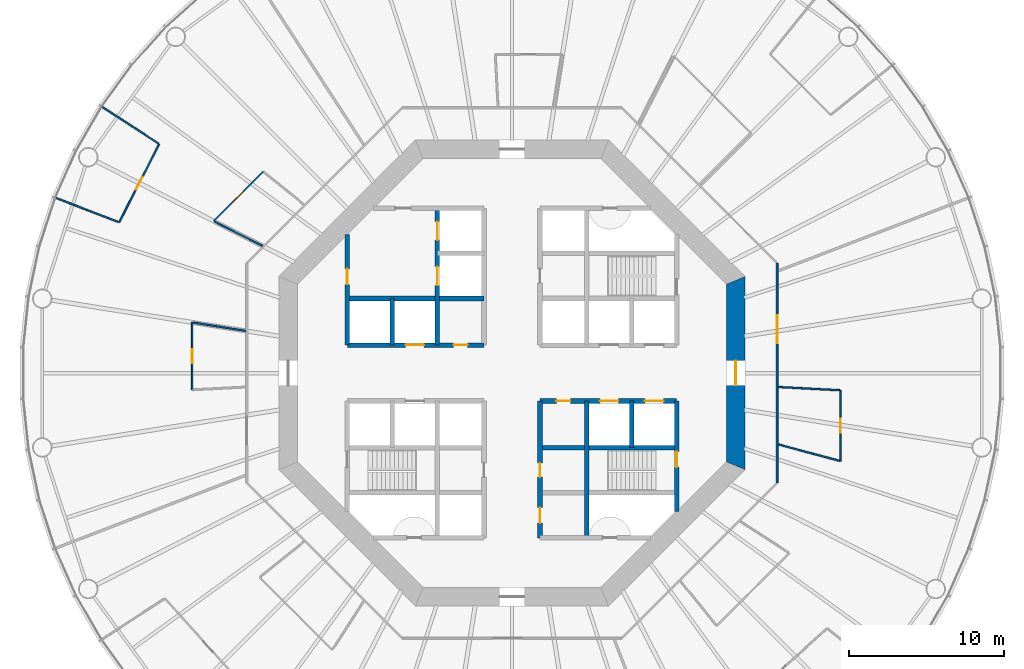
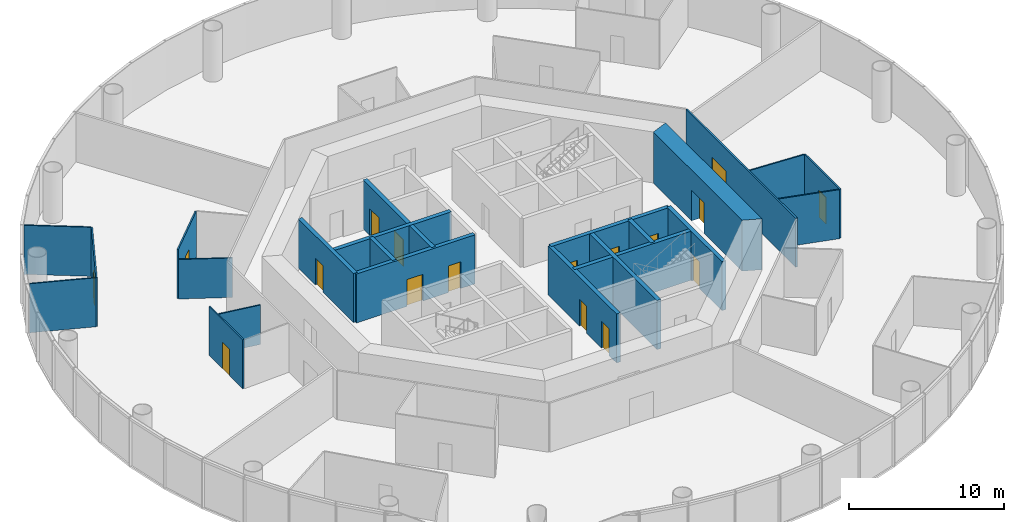
# One storey, part 4 of 13: 23 walls, 17 doors, 17 openings.
"""IFC4 building model written with IfcOpenShell, lengths in metres."""

from ifc_helpers import new_model, si_unit, direction, frame, frame_2d, origin, place, context, subcontext, project, spatial, polyline, rectangle, outline, extrude, material, layer, layer_set, type_object, element, fill, save


model = new_model("IFC4")

# Units and contexts
model_context = context("Model", 3, precision=1e-05, world=origin(), true_north=direction((0.0, 1.0)))
body_context = subcontext(model_context, "Body", "Model", "MODEL_VIEW")
ifc_project = project(units=[si_unit("LENGTHUNIT", "METRE"), si_unit("AREAUNIT", "SQUARE_METRE"), si_unit("VOLUMEUNIT", "CUBIC_METRE"), si_unit("PLANEANGLEUNIT", "RADIAN"), si_unit("MASSUNIT", "GRAM", prefix="KILO")], contexts=[model_context])

# Site, building, storey
site_placement = place(None, origin())
site = spatial("IfcSite", under=ifc_project, at=site_placement, CompositionType="ELEMENT")
building_placement = place(site_placement, origin())
building = spatial("IfcBuilding", under=site, at=building_placement, Name="Entoto Ring Tower", CompositionType="ELEMENT")
storey_placement = place(building_placement, frame((0.0, 0.0, 108.0)))
storey = spatial("IfcBuildingStorey", under=building, at=storey_placement, Name="L24", CompositionType="ELEMENT", Elevation=108.0)

# Wall, opening, door
ifc_material_1 = material(Name="Concrete C40/50", Category="concrete")
ifc_layer_1 = layer(ifc_material_1, 0.300048828125)
ifc_layer_set_1 = layer_set([ifc_layer_1], Name="Concrete C40/50")
wall_type_1 = type_object("IfcWallType", Name="Core enclosure wall 300 mm reinforced concrete", PredefinedType="SOLIDWALL", material=ifc_layer_set_1)
wall_1_placement = place(storey_placement, frame((100.60009765625, 71.083984375, 0.0), z_axis=(0.0, 0.0, 1.0), x_axis=(0.0, 1.0, 0.0)))
wall_1 = element("IfcWall", 1, at=wall_1_placement, inside=storey, type_object=wall_type_1, Name="wall-L24-001", PredefinedType="SOLIDWALL", context=body_context, shape_type="SweptSolid", body=[
    extrude(rectangle(XDim=7.115966796875, YDim=0.300048828125, at=frame_2d((3.55810546875, 0.0))), origin(), (0.0, 0.0, 1.0), 3.85009765625),
])
opening_1_placement = place(wall_1_placement, frame((2.8662109375, 0.0, 0.0)))
opening_1 = element("IfcOpeningElement", 2, at=opening_1_placement, cuts=wall_1, Name="Opening K-61", PredefinedType="OPENING", context=body_context, shape_type="SweptSolid", body=[
    extrude(rectangle(XDim=1.0, YDim=2.10009765625, at=frame_2d((0.5, 1.050048828125))), frame((0.0, 0.16015625, 0.0), z_axis=(0.0, -1.0, 0.0), x_axis=(1.0, 0.0, 0.0)), (0.0, 0.0, 1.0), 0.320068359375),
])
ifc_material_2 = material(Name="Steel door leaf, fire rated", Category="steel")
ifc_layer_2 = layer(ifc_material_2, 0.050048828125)
ifc_layer_set_2 = layer_set([ifc_layer_2], Name="Steel door leaf, fire rated")
door_type_1 = type_object("IfcDoorType", Name="Fire door FD60 1000 x 2100 single leaf", OperationType="NOTDEFINED", PredefinedType="DOOR", material=ifc_layer_set_2)
door_1_placement = place(opening_1_placement, origin())
door_1 = element("IfcDoor", 3, at=door_1_placement, inside=storey, type_object=door_type_1, Name="Door K-61", OperationType="SINGLE_SWING_RIGHT", OverallHeight=2.10009765625, OverallWidth=1.0, PredefinedType="DOOR", context=body_context, shape_type="SweptSolid", body=[
    extrude(rectangle(XDim=1.0, YDim=2.10009765625, at=frame_2d((0.5, 1.050048828125))), frame((0.0, 0.02490234375, 0.0), z_axis=(0.0, -1.0, 0.0), x_axis=(1.0, 0.0, 0.0)), (0.0, 0.0, 1.0), 0.050048828125),
])
fill(opening_1, door_1)

# Walls
wall_2_placement = place(storey_placement, frame((97.699951171875, 75.199951171875, 0.0), z_axis=(0.0, 0.0, 1.0), x_axis=(0.0, 1.0, 0.0)))
element("IfcWall", 4, at=wall_2_placement, inside=storey, type_object=wall_type_1, Name="wall-L24-003", PredefinedType="SOLIDWALL", context=body_context, shape_type="SweptSolid", body=[
    extrude(rectangle(XDim=3.0, YDim=0.300048828125, at=frame_2d((1.5, 0.0))), origin(), (0.0, 0.0, 1.0), 3.85009765625),
])
wall_3_placement = place(storey_placement, frame((94.800048828125, 69.39990234375, 0.0), z_axis=(0.0, 0.0, 1.0), x_axis=(0.0, 1.0, 0.0)))
element("IfcWall", 5, at=wall_3_placement, inside=storey, type_object=wall_type_1, Name="wall-L24-005", PredefinedType="SOLIDWALL", context=body_context, shape_type="SweptSolid", body=[
    extrude(rectangle(XDim=8.800048828125, YDim=0.300048828125, at=frame_2d((4.39990234375, 0.0))), origin(), (0.0, 0.0, 1.0), 3.85009765625),
])

# Wall, openings, doors
wall_4_placement = place(storey_placement, frame((91.800048828125, 69.39990234375, 0.0), z_axis=(0.0, 0.0, 1.0), x_axis=(0.0, 1.0, 0.0)))
wall_4 = element("IfcWall", 6, at=wall_4_placement, inside=storey, type_object=wall_type_1, Name="wall-L24-007", PredefinedType="SOLIDWALL", context=body_context, shape_type="SweptSolid", body=[
    extrude(rectangle(XDim=8.800048828125, YDim=0.300048828125, at=frame_2d((4.39990234375, 0.0))), origin(), (0.0, 0.0, 1.0), 3.85009765625),
])
opening_2_placement = place(wall_4_placement, frame((3.89990234375, 0.0, 0.0)))
opening_2 = element("IfcOpeningElement", 7, at=opening_2_placement, cuts=wall_4, Name="Opening K-12", PredefinedType="OPENING", context=body_context, shape_type="SweptSolid", body=[
    extrude(rectangle(XDim=0.89990234375, YDim=2.10009765625, at=frame_2d((0.449951171875, 1.050048828125))), frame((0.0, 0.16015625, 0.0), z_axis=(0.0, -1.0, 0.0), x_axis=(1.0, 0.0, 0.0)), (0.0, 0.0, 1.0), 0.320068359375),
])
opening_3_placement = place(wall_4_placement, frame((0.949951171875, 0.0, 0.0)))
opening_3 = element("IfcOpeningElement", 8, at=opening_3_placement, cuts=wall_4, Name="Opening K-13", PredefinedType="OPENING", context=body_context, shape_type="SweptSolid", body=[
    extrude(rectangle(XDim=1.0, YDim=2.10009765625, at=frame_2d((0.5, 1.050048828125))), frame((0.0, 0.16015625, 0.0), z_axis=(0.0, -1.0, 0.0), x_axis=(1.0, 0.0, 0.0)), (0.0, 0.0, 1.0), 0.320068359375),
])
ifc_material_3 = material(Name="Steel door leaf, fire rated", Category="steel")
ifc_layer_3 = layer(ifc_material_3, 0.050048828125)
ifc_layer_set_3 = layer_set([ifc_layer_3], Name="Steel door leaf, fire rated")
door_type_2 = type_object("IfcDoorType", Name="Accessible door 1000 x 2100 single leaf", OperationType="NOTDEFINED", PredefinedType="DOOR", material=ifc_layer_set_3)
door_2_placement = place(opening_3_placement, frame((1.0, 0.0, 0.0), z_axis=(0.0, 0.0, 1.0), x_axis=(-1.0, 0.0, 0.0)))
door_2 = element("IfcDoor", 9, at=door_2_placement, inside=storey, type_object=door_type_2, Name="Door K-13", OperationType="SINGLE_SWING_LEFT", OverallHeight=2.10009765625, OverallWidth=1.0, PredefinedType="DOOR", context=body_context, shape_type="SweptSolid", body=[
    extrude(rectangle(XDim=1.0, YDim=2.10009765625, at=frame_2d((0.5, 1.050048828125))), frame((0.0, 0.02490234375, 0.0), z_axis=(0.0, -1.0, 0.0), x_axis=(1.0, 0.0, 0.0)), (0.0, 0.0, 1.0), 0.050048828125),
])
fill(opening_3, door_2)
ifc_material_4 = material(Name="Steel door leaf, fire rated", Category="steel")
ifc_layer_4 = layer(ifc_material_4, 0.050048828125)
ifc_layer_set_4 = layer_set([ifc_layer_4], Name="Steel door leaf, fire rated")
door_type_3 = type_object("IfcDoorType", Name="Core door 900 x 2100 single leaf", OperationType="NOTDEFINED", PredefinedType="DOOR", material=ifc_layer_set_4)
door_3_placement = place(opening_2_placement, frame((0.89990234375, 0.0, 0.0), z_axis=(0.0, 0.0, 1.0), x_axis=(-1.0, 0.0, 0.0)))
door_3 = element("IfcDoor", 10, at=door_3_placement, inside=storey, type_object=door_type_3, Name="Door K-12", OperationType="SINGLE_SWING_LEFT", OverallHeight=2.10009765625, OverallWidth=0.89990234375, PredefinedType="DOOR", context=body_context, shape_type="SweptSolid", body=[
    extrude(rectangle(XDim=0.89990234375, YDim=2.10009765625, at=frame_2d((0.449951171875, 1.050048828125))), frame((0.0, 0.02490234375, 0.0), z_axis=(0.0, -1.0, 0.0), x_axis=(1.0, 0.0, 0.0)), (0.0, 0.0, 1.0), 0.050048828125),
])
fill(opening_2, door_3)

wall_5_placement = place(storey_placement, frame((85.199951171875, 81.800048828125, 0.0), z_axis=(0.0, 0.0, 1.0), x_axis=(0.0, 1.0, 0.0)))
wall_5 = element("IfcWall", 11, at=wall_5_placement, inside=storey, type_object=wall_type_1, Name="wall-L24-012", PredefinedType="SOLIDWALL", context=body_context, shape_type="SweptSolid", body=[
    extrude(rectangle(XDim=8.800048828125, YDim=0.300048828125, at=frame_2d((4.39990234375, 0.0))), origin(), (0.0, 0.0, 1.0), 3.85009765625),
])
opening_4_placement = place(wall_5_placement, frame((3.85009765625, 0.0, 0.0)))
opening_4 = element("IfcOpeningElement", 12, at=opening_4_placement, cuts=wall_5, Name="Opening LD", PredefinedType="OPENING", context=body_context, shape_type="SweptSolid", body=[
    extrude(rectangle(XDim=1.199951171875, YDim=2.10009765625, at=frame_2d((0.60009765625, 1.050048828125))), frame((0.0, 0.16015625, 0.0), z_axis=(0.0, -1.0, 0.0), x_axis=(1.0, 0.0, 0.0)), (0.0, 0.0, 1.0), 0.320068359375),
])
opening_5_placement = place(wall_5_placement, frame((6.75, 0.0, 0.0)))
opening_5 = element("IfcOpeningElement", 13, at=opening_5_placement, cuts=wall_5, Name="Opening LD", PredefinedType="OPENING", context=body_context, shape_type="SweptSolid", body=[
    extrude(rectangle(XDim=1.199951171875, YDim=2.10009765625, at=frame_2d((0.60009765625, 1.050048828125))), frame((0.0, 0.16015625, 0.0), z_axis=(0.0, -1.0, 0.0), x_axis=(1.0, 0.0, 0.0)), (0.0, 0.0, 1.0), 0.320068359375),
])
ifc_material_5 = material(Name="Steel and glass door leaf", Category="steel")
ifc_layer_5 = layer(ifc_material_5, 0.050048828125)
ifc_layer_set_5 = layer_set([ifc_layer_5], Name="Steel and glass door leaf")
door_type_4 = type_object("IfcDoorType", Name="Landing door 1200 x 2100 sliding", OperationType="DOUBLE_DOOR_SLIDING", PredefinedType="DOOR", material=ifc_layer_set_5)
door_4_placement = place(opening_4_placement, origin())
door_4 = element("IfcDoor", 14, at=door_4_placement, inside=storey, type_object=door_type_4, Name="Landing door FF1", OperationType="SLIDING_TO_RIGHT", OverallHeight=2.10009765625, OverallWidth=1.199951171875, PredefinedType="DOOR", context=body_context, shape_type="SweptSolid", body=[
    extrude(rectangle(XDim=1.199951171875, YDim=2.10009765625, at=frame_2d((0.60009765625, 1.050048828125))), frame((0.0, 0.02490234375, 0.0), z_axis=(0.0, -1.0, 0.0), x_axis=(1.0, 0.0, 0.0)), (0.0, 0.0, 1.0), 0.050048828125),
])
fill(opening_4, door_4)
door_5_placement = place(opening_5_placement, origin())
door_5 = element("IfcDoor", 15, at=door_5_placement, inside=storey, type_object=door_type_4, Name="Landing door FF2", OperationType="SLIDING_TO_RIGHT", OverallHeight=2.10009765625, OverallWidth=1.199951171875, PredefinedType="DOOR", context=body_context, shape_type="SweptSolid", body=[
    extrude(rectangle(XDim=1.199951171875, YDim=2.10009765625, at=frame_2d((0.60009765625, 1.050048828125))), frame((0.0, 0.02490234375, 0.0), z_axis=(0.0, -1.0, 0.0), x_axis=(1.0, 0.0, 0.0)), (0.0, 0.0, 1.0), 0.050048828125),
])
fill(opening_5, door_5)

# Wall
wall_6_placement = place(storey_placement, frame((82.300048828125, 81.800048828125, 0.0), z_axis=(0.0, 0.0, 1.0), x_axis=(0.0, 1.0, 0.0)))
element("IfcWall", 16, at=wall_6_placement, inside=storey, type_object=wall_type_1, Name="wall-L24-014", PredefinedType="SOLIDWALL", context=body_context, shape_type="SweptSolid", body=[
    extrude(rectangle(XDim=3.0, YDim=0.300048828125, at=frame_2d((1.5, 0.0))), origin(), (0.0, 0.0, 1.0), 3.85009765625),
])

# Wall, opening, door
wall_7_placement = place(storey_placement, frame((79.39990234375, 81.800048828125, 0.0), z_axis=(0.0, 0.0, 1.0), x_axis=(0.0, 1.0, 0.0)))
wall_7 = element("IfcWall", 17, at=wall_7_placement, inside=storey, type_object=wall_type_1, Name="wall-L24-016", PredefinedType="SOLIDWALL", context=body_context, shape_type="SweptSolid", body=[
    extrude(rectangle(XDim=7.115966796875, YDim=0.300048828125, at=frame_2d((3.55810546875, 0.0))), origin(), (0.0, 0.0, 1.0), 3.85009765625),
])
opening_6_placement = place(wall_7_placement, frame((3.89990234375, 0.0, 0.0)))
opening_6 = element("IfcOpeningElement", 18, at=opening_6_placement, cuts=wall_7, Name="Opening K-23", PredefinedType="OPENING", context=body_context, shape_type="SweptSolid", body=[
    extrude(rectangle(XDim=1.0, YDim=2.10009765625, at=frame_2d((0.5, 1.050048828125))), frame((0.0, 0.16015625, 0.0), z_axis=(0.0, -1.0, 0.0), x_axis=(1.0, 0.0, 0.0)), (0.0, 0.0, 1.0), 0.320068359375),
])
door_6_placement = place(opening_6_placement, frame((1.0, 0.0, 0.0), z_axis=(0.0, 0.0, 1.0), x_axis=(-1.0, 0.0, 0.0)))
door_6 = element("IfcDoor", 19, at=door_6_placement, inside=storey, type_object=door_type_1, Name="Door K-23", OperationType="SINGLE_SWING_LEFT", OverallHeight=2.10009765625, OverallWidth=1.0, PredefinedType="DOOR", context=body_context, shape_type="SweptSolid", body=[
    extrude(rectangle(XDim=1.0, YDim=2.10009765625, at=frame_2d((0.5, 1.050048828125))), frame((0.0, 0.02490234375, 0.0), z_axis=(0.0, -1.0, 0.0), x_axis=(1.0, 0.0, 0.0)), (0.0, 0.0, 1.0), 0.050048828125),
])
fill(opening_6, door_6)

# Wall
wall_8_placement = place(storey_placement, frame((91.800048828125, 75.199951171875, 0.0), z_axis=(0.0, 0.0, 1.0), x_axis=(1.0, 0.0, 0.0)))
element("IfcWall", 20, at=wall_8_placement, inside=storey, type_object=wall_type_1, Name="wall-L24-022", PredefinedType="SOLIDWALL", context=body_context, shape_type="SweptSolid", body=[
    extrude(rectangle(XDim=8.800048828125, YDim=0.300048828125, at=frame_2d((4.39990234375, 0.0))), origin(), (0.0, 0.0, 1.0), 3.85009765625),
])

# Wall, openings, doors
wall_9_placement = place(storey_placement, frame((91.800048828125, 78.199951171875, 0.0), z_axis=(0.0, 0.0, 1.0), x_axis=(1.0, 0.0, 0.0)))
wall_9 = element("IfcWall", 21, at=wall_9_placement, inside=storey, type_object=wall_type_1, Name="wall-L24-024", PredefinedType="SOLIDWALL", context=body_context, shape_type="SweptSolid", body=[
    extrude(rectangle(XDim=8.800048828125, YDim=0.300048828125, at=frame_2d((4.39990234375, 0.0))), origin(), (0.0, 0.0, 1.0), 3.85009765625),
])
opening_7_placement = place(wall_9_placement, frame((3.85009765625, 0.0, 0.0)))
opening_7 = element("IfcOpeningElement", 22, at=opening_7_placement, cuts=wall_9, Name="Opening LD", PredefinedType="OPENING", context=body_context, shape_type="SweptSolid", body=[
    extrude(rectangle(XDim=1.199951171875, YDim=2.10009765625, at=frame_2d((0.60009765625, 1.050048828125))), frame((0.0, 0.16015625, 0.0), z_axis=(0.0, -1.0, 0.0), x_axis=(1.0, 0.0, 0.0)), (0.0, 0.0, 1.0), 0.320068359375),
])
opening_8_placement = place(wall_9_placement, frame((6.75, 0.0, 0.0)))
opening_8 = element("IfcOpeningElement", 23, at=opening_8_placement, cuts=wall_9, Name="Opening LD", PredefinedType="OPENING", context=body_context, shape_type="SweptSolid", body=[
    extrude(rectangle(XDim=1.199951171875, YDim=2.10009765625, at=frame_2d((0.60009765625, 1.050048828125))), frame((0.0, 0.16015625, 0.0), z_axis=(0.0, -1.0, 0.0), x_axis=(1.0, 0.0, 0.0)), (0.0, 0.0, 1.0), 0.320068359375),
])
opening_9_placement = place(wall_9_placement, frame((1.050048828125, 0.0, 0.0)))
opening_9 = element("IfcOpeningElement", 24, at=opening_9_placement, cuts=wall_9, Name="Opening K-16", PredefinedType="OPENING", context=body_context, shape_type="SweptSolid", body=[
    extrude(rectangle(XDim=0.89990234375, YDim=2.10009765625, at=frame_2d((0.449951171875, 1.050048828125))), frame((0.0, 0.16015625, 0.0), z_axis=(0.0, -1.0, 0.0), x_axis=(1.0, 0.0, 0.0)), (0.0, 0.0, 1.0), 0.320068359375),
])
door_7_placement = place(opening_9_placement, frame((0.89990234375, 0.0, 0.0), z_axis=(0.0, 0.0, 1.0), x_axis=(-1.0, 0.0, 0.0)))
door_7 = element("IfcDoor", 25, at=door_7_placement, inside=storey, type_object=door_type_3, Name="Door K-16", OperationType="SINGLE_SWING_RIGHT", OverallHeight=2.10009765625, OverallWidth=0.89990234375, PredefinedType="DOOR", context=body_context, shape_type="SweptSolid", body=[
    extrude(rectangle(XDim=0.89990234375, YDim=2.10009765625, at=frame_2d((0.449951171875, 1.050048828125))), frame((0.0, 0.02490234375, 0.0), z_axis=(0.0, -1.0, 0.0), x_axis=(1.0, 0.0, 0.0)), (0.0, 0.0, 1.0), 0.050048828125),
])
fill(opening_9, door_7)
door_8_placement = place(opening_7_placement, origin())
door_8 = element("IfcDoor", 26, at=door_8_placement, inside=storey, type_object=door_type_4, Name="Landing door LB4-LR", OperationType="SLIDING_TO_RIGHT", OverallHeight=2.10009765625, OverallWidth=1.199951171875, PredefinedType="DOOR", context=body_context, shape_type="SweptSolid", body=[
    extrude(rectangle(XDim=1.199951171875, YDim=2.10009765625, at=frame_2d((0.60009765625, 1.050048828125))), frame((0.0, 0.02490234375, 0.0), z_axis=(0.0, -1.0, 0.0), x_axis=(1.0, 0.0, 0.0)), (0.0, 0.0, 1.0), 0.050048828125),
])
fill(opening_7, door_8)
door_9_placement = place(opening_8_placement, origin())
door_9 = element("IfcDoor", 27, at=door_9_placement, inside=storey, type_object=door_type_4, Name="Landing door LB5-LR", OperationType="SLIDING_TO_RIGHT", OverallHeight=2.10009765625, OverallWidth=1.199951171875, PredefinedType="DOOR", context=body_context, shape_type="SweptSolid", body=[
    extrude(rectangle(XDim=1.199951171875, YDim=2.10009765625, at=frame_2d((0.60009765625, 1.050048828125))), frame((0.0, 0.02490234375, 0.0), z_axis=(0.0, -1.0, 0.0), x_axis=(1.0, 0.0, 0.0)), (0.0, 0.0, 1.0), 0.050048828125),
])
fill(opening_8, door_9)

wall_10_placement = place(storey_placement, frame((79.39990234375, 81.800048828125, 0.0), z_axis=(0.0, 0.0, 1.0), x_axis=(1.0, 0.0, 0.0)))
wall_10 = element("IfcWall", 28, at=wall_10_placement, inside=storey, type_object=wall_type_1, Name="wall-L24-025", PredefinedType="SOLIDWALL", context=body_context, shape_type="SweptSolid", body=[
    extrude(rectangle(XDim=8.800048828125, YDim=0.300048828125, at=frame_2d((4.39990234375, 0.0))), origin(), (0.0, 0.0, 1.0), 3.85009765625),
])
opening_10_placement = place(wall_10_placement, frame((3.75, 0.0, 0.0)))
opening_10 = element("IfcOpeningElement", 29, at=opening_10_placement, cuts=wall_10, Name="Opening LD", PredefinedType="OPENING", context=body_context, shape_type="SweptSolid", body=[
    extrude(rectangle(XDim=1.199951171875, YDim=2.10009765625, at=frame_2d((0.60009765625, 1.050048828125))), frame((0.0, 0.16015625, 0.0), z_axis=(0.0, -1.0, 0.0), x_axis=(1.0, 0.0, 0.0)), (0.0, 0.0, 1.0), 0.320068359375),
])
opening_11_placement = place(wall_10_placement, frame((6.85009765625, 0.0, 0.0)))
opening_11 = element("IfcOpeningElement", 30, at=opening_11_placement, cuts=wall_10, Name="Opening K-15", PredefinedType="OPENING", context=body_context, shape_type="SweptSolid", body=[
    extrude(rectangle(XDim=0.89990234375, YDim=2.10009765625, at=frame_2d((0.449951171875, 1.050048828125))), frame((0.0, 0.16015625, 0.0), z_axis=(0.0, -1.0, 0.0), x_axis=(1.0, 0.0, 0.0)), (0.0, 0.0, 1.0), 0.320068359375),
])
door_10_placement = place(opening_11_placement, frame((0.89990234375, 0.0, 0.0), z_axis=(0.0, 0.0, 1.0), x_axis=(-1.0, 0.0, 0.0)))
door_10 = element("IfcDoor", 31, at=door_10_placement, inside=storey, type_object=door_type_3, Name="Door K-15", OperationType="SINGLE_SWING_RIGHT", OverallHeight=2.10009765625, OverallWidth=0.89990234375, PredefinedType="DOOR", context=body_context, shape_type="SweptSolid", body=[
    extrude(rectangle(XDim=0.89990234375, YDim=2.10009765625, at=frame_2d((0.449951171875, 1.050048828125))), frame((0.0, 0.02490234375, 0.0), z_axis=(0.0, -1.0, 0.0), x_axis=(1.0, 0.0, 0.0)), (0.0, 0.0, 1.0), 0.050048828125),
])
fill(opening_11, door_10)
door_11_placement = place(opening_10_placement, origin())
door_11 = element("IfcDoor", 32, at=door_11_placement, inside=storey, type_object=door_type_4, Name="Landing door LB3-LR", OperationType="SLIDING_TO_RIGHT", OverallHeight=2.10009765625, OverallWidth=1.199951171875, PredefinedType="DOOR", context=body_context, shape_type="SweptSolid", body=[
    extrude(rectangle(XDim=1.199951171875, YDim=2.10009765625, at=frame_2d((0.60009765625, 1.050048828125))), frame((0.0, 0.02490234375, 0.0), z_axis=(0.0, -1.0, 0.0), x_axis=(1.0, 0.0, 0.0)), (0.0, 0.0, 1.0), 0.050048828125),
])
fill(opening_10, door_11)

# Wall
wall_11_placement = place(storey_placement, frame((79.39990234375, 84.800048828125, 0.0), z_axis=(0.0, 0.0, 1.0), x_axis=(1.0, 0.0, 0.0)))
element("IfcWall", 33, at=wall_11_placement, inside=storey, type_object=wall_type_1, Name="wall-L24-027", PredefinedType="SOLIDWALL", context=body_context, shape_type="SweptSolid", body=[
    extrude(rectangle(XDim=8.800048828125, YDim=0.300048828125, at=frame_2d((4.39990234375, 0.0))), origin(), (0.0, 0.0, 1.0), 3.85009765625),
])

# Wall, opening, door
ifc_material_6 = material(Name="Concrete C60/75", Category="concrete")
ifc_layer_6 = layer(ifc_material_6, 1.199951171875)
ifc_layer_set_6 = layer_set([ifc_layer_6], Name="Concrete C60/75")
wall_type_2 = type_object("IfcWallType", Name="Core shear wall 1200 mm reinforced concrete C60/75", PredefinedType="SHEAR", material=ifc_layer_set_6)
wall_12_placement = place(storey_placement, frame((104.39990234375, 74.035400390625, 0.0), z_axis=(0.0, 0.0, 1.0), x_axis=(0.0, 1.0, 0.0)))
wall_12 = element("IfcWall", 34, at=wall_12_placement, inside=storey, type_object=wall_type_2, Name="wall-L24-core-0", PredefinedType="SHEAR", context=body_context, shape_type="SweptSolid", body=[
    extrude(outline(polyline([(-0.24853515625, -0.60009765625), (12.177734375, -0.60009765625), (11.6806640625, 0.60009765625), (0.24853515625, 0.60009765625), (-0.24853515625, -0.60009765625)])), origin(), (0.0, 0.0, 1.0), 4.0),
])
opening_12_placement = place(wall_12_placement, frame((5.164794921875, 0.0, 0.0)))
opening_12 = element("IfcOpeningElement", 35, at=opening_12_placement, cuts=wall_12, Name="Opening K-01", PredefinedType="OPENING", context=body_context, shape_type="SweptSolid", body=[
    extrude(rectangle(XDim=1.60009765625, YDim=2.39990234375, at=frame_2d((0.800048828125, 1.199951171875))), frame((0.0, 0.60986328125, 0.0), z_axis=(0.0, -1.0, 0.0), x_axis=(1.0, 0.0, 0.0)), (0.0, 0.0, 1.0), 1.219970703125),
])
ifc_material_7 = material(Name="Steel door leaf, fire rated", Category="steel")
ifc_layer_7 = layer(ifc_material_7, 0.050048828125)
ifc_layer_set_7 = layer_set([ifc_layer_7], Name="Steel door leaf, fire rated")
door_type_5 = type_object("IfcDoorType", Name="Entrance door FD60 1600 x 2400 double leaf", OperationType="DOUBLE_DOOR_SINGLE_SWING", PredefinedType="DOOR", material=ifc_layer_set_7)
door_12_placement = place(opening_12_placement, origin())
door_12 = element("IfcDoor", 36, at=door_12_placement, inside=storey, type_object=door_type_5, Name="Entrance door K-01", OperationType="DOUBLE_DOOR_SINGLE_SWING", OverallHeight=2.39990234375, OverallWidth=1.60009765625, PredefinedType="DOOR", context=body_context, shape_type="SweptSolid", body=[
    extrude(rectangle(XDim=1.60009765625, YDim=2.39990234375, at=frame_2d((0.800048828125, 1.199951171875))), frame((0.0, 0.02490234375, 0.0), z_axis=(0.0, -1.0, 0.0), x_axis=(1.0, 0.0, 0.0)), (0.0, 0.0, 1.0), 0.050048828125),
])
fill(opening_12, door_12)

ifc_material_8 = material(Name="Fire-resisting plasterboard on steel studs", Category="steel")
ifc_layer_8 = layer(ifc_material_8, 0.125)
ifc_layer_set_8 = layer_set([ifc_layer_8], Name="Fire-resisting plasterboard on steel studs")
wall_type_3 = type_object("IfcWallType", Name="Corridor wall 125 mm one-hour plasterboard on steel studs", PredefinedType="PARTITIONING", material=ifc_layer_set_8)
wall_13_placement = place(storey_placement, frame((107.0625, 72.9326171875, 0.0), z_axis=(0.0, 0.0, 1.0), x_axis=(0.0, 1.0, 0.0)))
wall_13 = element("IfcWall", 37, at=wall_13_placement, inside=storey, type_object=wall_type_3, Name="partition-L24-004", PredefinedType="PARTITIONING", context=body_context, shape_type="SweptSolid", body=[
    extrude(rectangle(XDim=14.134765625, YDim=0.125, at=frame_2d((7.0673828125, 0.0))), origin(), (0.0, 0.0, 1.0), 3.85009765625),
])
opening_13_placement = place(wall_13_placement, frame((8.995361328125, 0.0, 0.0)))
opening_13 = element("IfcOpeningElement", 38, at=opening_13_placement, cuts=wall_13, Name="Opening A10-D12", PredefinedType="OPENING", context=body_context, shape_type="SweptSolid", body=[
    extrude(rectangle(XDim=1.800048828125, YDim=2.10009765625, at=frame_2d((0.89990234375, 1.050048828125))), frame((0.0, 0.072509765625, 0.0), z_axis=(0.0, -1.0, 0.0), x_axis=(1.0, 0.0, 0.0)), (0.0, 0.0, 1.0), 0.14501953125),
])
ifc_material_9 = material(Name="Fire-resisting timber door set", Category="wood")
door_type_6 = type_object("IfcDoorType", Name="Door 1800 x 2100 double leaf FD30S fire door", OperationType="DOUBLE_DOOR_SINGLE_SWING", PredefinedType="DOOR", material=ifc_material_9)
door_13_placement = place(opening_13_placement, frame((1.800048828125, 0.0, 0.0), z_axis=(0.0, 0.0, 1.0), x_axis=(-1.0, 0.0, 0.0)))
door_13 = element("IfcDoor", 39, at=door_13_placement, inside=storey, type_object=door_type_6, Name="Door A10-D12", OperationType="DOUBLE_DOOR_SINGLE_SWING", OverallHeight=2.10009765625, OverallWidth=1.800048828125, PredefinedType="DOOR", context=body_context, shape_type="SweptSolid", body=[
    extrude(rectangle(XDim=1.800048828125, YDim=2.10009765625, at=frame_2d((0.89990234375, 1.050048828125))), frame((0.0, 0.02490234375, 0.0), z_axis=(0.0, -1.0, 0.0), x_axis=(1.0, 0.0, 0.0)), (0.0, 0.0, 1.0), 0.050048828125),
])
fill(opening_13, door_13)

ifc_material_10 = material(Name="Plasterboard on steel studs", Category="steel")
ifc_layer_9 = layer(ifc_material_10, 0.10009765625)
ifc_layer_set_9 = layer_set([ifc_layer_9], Name="Plasterboard on steel studs")
wall_type_4 = type_object("IfcWallType", Name="Partition 100 mm plasterboard on steel studs", PredefinedType="PARTITIONING", material=ifc_layer_set_9)
wall_14_placement = place(storey_placement, frame((64.72802734375, 89.700927734375, 0.0), z_axis=(0.0, 0.0, 1.0), x_axis=(0.453965202268, 0.891019413442, 0.0)))
wall_14 = element("IfcWall", 40, at=wall_14_placement, inside=storey, type_object=wall_type_4, Name="partition-L24-018", PredefinedType="PARTITIONING", context=body_context, shape_type="SweptSolid", body=[
    extrude(rectangle(XDim=5.6591796875, YDim=0.10009765625, at=frame_2d((2.82958984375, 0.0))), origin(), (0.0, 0.0, 1.0), 3.85009765625),
])
opening_14_placement = place(wall_14_placement, frame((2.379638671875, 0.0, 0.0)))
opening_14 = element("IfcOpeningElement", 41, at=opening_14_placement, cuts=wall_14, Name="Opening A10-D08", PredefinedType="OPENING", context=body_context, shape_type="SweptSolid", body=[
    extrude(rectangle(XDim=0.89990234375, YDim=2.10009765625, at=frame_2d((0.449951171875, 1.050048828125))), frame((0.0, 0.06005859375, 0.0), z_axis=(0.0, -1.0, 0.0), x_axis=(1.0, 0.0, 0.0)), (0.0, 0.0, 1.0), 0.1201171875),
])
ifc_material_11 = material(Name="Veneered timber door leaf in timber frame", Category="wood")
door_type_7 = type_object("IfcDoorType", Name="Door 900 x 2100 single leaf timber veneer", OperationType="NOTDEFINED", PredefinedType="DOOR", material=ifc_material_11)
door_14_placement = place(opening_14_placement, origin())
door_14 = element("IfcDoor", 42, at=door_14_placement, inside=storey, type_object=door_type_7, Name="Door A10-D08", OperationType="SINGLE_SWING_LEFT", OverallHeight=2.10009765625, OverallWidth=0.89990234375, PredefinedType="DOOR", context=body_context, shape_type="SweptSolid", body=[
    extrude(rectangle(XDim=0.89990234375, YDim=2.10009765625, at=frame_2d((0.449951171875, 1.050048828125))), frame((0.0, 0.02490234375, 0.0), z_axis=(0.0, -1.0, 0.0), x_axis=(1.0, 0.0, 0.0)), (0.0, 0.0, 1.0), 0.050048828125),
])
fill(opening_14, door_14)

wall_15_placement = place(storey_placement, frame((111.132568359375, 74.337646484375, 0.0), z_axis=(0.0, 0.0, 1.0), x_axis=(0.0, 1.0, 0.0)))
wall_15 = element("IfcWall", 43, at=wall_15_placement, inside=storey, type_object=wall_type_4, Name="partition-L24-028", PredefinedType="PARTITIONING", context=body_context, shape_type="SweptSolid", body=[
    extrude(rectangle(XDim=4.554931640625, YDim=0.10009765625, at=frame_2d((2.27734375, 0.0))), origin(), (0.0, 0.0, 1.0), 3.85009765625),
])
opening_15_placement = place(wall_15_placement, frame((1.827392578125, 0.0, 0.0)))
opening_15 = element("IfcOpeningElement", 44, at=opening_15_placement, cuts=wall_15, Name="Opening A10-D14", PredefinedType="OPENING", context=body_context, shape_type="SweptSolid", body=[
    extrude(rectangle(XDim=0.89990234375, YDim=2.10009765625, at=frame_2d((0.449951171875, 1.050048828125))), frame((0.0, 0.06005859375, 0.0), z_axis=(0.0, -1.0, 0.0), x_axis=(1.0, 0.0, 0.0)), (0.0, 0.0, 1.0), 0.1201171875),
])
door_15_placement = place(opening_15_placement, origin())
door_15 = element("IfcDoor", 45, at=door_15_placement, inside=storey, type_object=door_type_7, Name="Door A10-D14", OperationType="SINGLE_SWING_LEFT", OverallHeight=2.10009765625, OverallWidth=0.89990234375, PredefinedType="DOOR", context=body_context, shape_type="SweptSolid", body=[
    extrude(rectangle(XDim=0.89990234375, YDim=2.10009765625, at=frame_2d((0.449951171875, 1.050048828125))), frame((0.0, 0.02490234375, 0.0), z_axis=(0.0, -1.0, 0.0), x_axis=(1.0, 0.0, 0.0)), (0.0, 0.0, 1.0), 0.050048828125),
])
fill(opening_15, door_15)

wall_16_placement = place(storey_placement, frame((70.801513671875, 89.7822265625, 0.0), z_axis=(0.0, 0.0, 1.0), x_axis=(0.707106781187, 0.707106781187, 0.0)))
wall_16 = element("IfcWall", 46, at=wall_16_placement, inside=storey, type_object=wall_type_4, Name="partition-L24-029", PredefinedType="PARTITIONING", context=body_context, shape_type="SweptSolid", body=[
    extrude(rectangle(XDim=4.50439453125, YDim=0.10009765625, at=frame_2d((2.252197265625, 0.0))), origin(), (0.0, 0.0, 1.0), 3.85009765625),
])
opening_16_placement = place(wall_16_placement, frame((1.80224609375, 0.0, 0.0)))
opening_16 = element("IfcOpeningElement", 47, at=opening_16_placement, cuts=wall_16, Name="Opening A10-D06", PredefinedType="OPENING", context=body_context, shape_type="SweptSolid", body=[
    extrude(rectangle(XDim=0.89990234375, YDim=2.10009765625, at=frame_2d((0.449951171875, 1.050048828125))), frame((0.0, 0.06005859375, 0.0), z_axis=(0.0, -1.0, 0.0), x_axis=(1.0, 0.0, 0.0)), (0.0, 0.0, 1.0), 0.1201171875),
])
door_16_placement = place(opening_16_placement, frame((0.89990234375, 0.0, 0.0), z_axis=(0.0, 0.0, 1.0), x_axis=(-1.0, 0.0, 0.0)))
door_16 = element("IfcDoor", 48, at=door_16_placement, inside=storey, type_object=door_type_7, Name="Door A10-D06", OperationType="SINGLE_SWING_RIGHT", OverallHeight=2.10009765625, OverallWidth=0.89990234375, PredefinedType="DOOR", context=body_context, shape_type="SweptSolid", body=[
    extrude(rectangle(XDim=0.89990234375, YDim=2.10009765625, at=frame_2d((0.449951171875, 1.050048828125))), frame((0.0, 0.02490234375, 0.0), z_axis=(0.0, -1.0, 0.0), x_axis=(1.0, 0.0, 0.0)), (0.0, 0.0, 1.0), 0.050048828125),
])
fill(opening_16, door_16)

# Walls
wall_17_placement = place(storey_placement, frame((64.681640625, 89.71875, 0.0), z_axis=(0.0, 0.0, 1.0), x_axis=(-0.933576980361, 0.358376926908, 0.0)))
element("IfcWall", 49, at=wall_17_placement, inside=storey, type_object=wall_type_4, Name="partition-L24-030", PredefinedType="PARTITIONING", context=body_context, shape_type="SweptSolid", body=[
    extrude(rectangle(XDim=4.3203125, YDim=0.10009765625, at=frame_2d((2.16015625, 0.0))), origin(), (0.0, 0.0, 1.0), 3.85009765625),
])
wall_18_placement = place(storey_placement, frame((67.255615234375, 94.7705078125, 0.0), z_axis=(0.0, 0.0, 1.0), x_axis=(-0.838683666773, 0.544618864059, 0.0)))
element("IfcWall", 50, at=wall_18_placement, inside=storey, type_object=wall_type_4, Name="partition-L24-031", PredefinedType="PARTITIONING", context=body_context, shape_type="SweptSolid", body=[
    extrude(rectangle(XDim=4.320556640625, YDim=0.10009765625, at=frame_2d((2.16015625, 0.0))), origin(), (0.0, 0.0, 1.0), 3.85009765625),
])

# Wall, opening, door
wall_19_placement = place(storey_placement, frame((69.41748046875, 78.92138671875, 0.0), z_axis=(0.0, 0.0, 1.0), x_axis=(0.0, 1.0, 0.0)))
wall_19 = element("IfcWall", 51, at=wall_19_placement, inside=storey, type_object=wall_type_4, Name="partition-L24-032", PredefinedType="PARTITIONING", context=body_context, shape_type="SweptSolid", body=[
    extrude(rectangle(XDim=4.338623046875, YDim=0.10009765625, at=frame_2d((2.16943359375, 0.0))), origin(), (0.0, 0.0, 1.0), 3.85009765625),
])
opening_17_placement = place(wall_19_placement, frame((1.71923828125, 0.0, 0.0)))
opening_17 = element("IfcOpeningElement", 52, at=opening_17_placement, cuts=wall_19, Name="Opening A10-D07", PredefinedType="OPENING", context=body_context, shape_type="SweptSolid", body=[
    extrude(rectangle(XDim=0.89990234375, YDim=2.10009765625, at=frame_2d((0.449951171875, 1.050048828125))), frame((0.0, 0.06005859375, 0.0), z_axis=(0.0, -1.0, 0.0), x_axis=(1.0, 0.0, 0.0)), (0.0, 0.0, 1.0), 0.1201171875),
])
door_17_placement = place(opening_17_placement, frame((0.89990234375, 0.0, 0.0), z_axis=(0.0, 0.0, 1.0), x_axis=(-1.0, 0.0, 0.0)))
door_17 = element("IfcDoor", 53, at=door_17_placement, inside=storey, type_object=door_type_7, Name="Door A10-D07", OperationType="SINGLE_SWING_LEFT", OverallHeight=2.10009765625, OverallWidth=0.89990234375, PredefinedType="DOOR", context=body_context, shape_type="SweptSolid", body=[
    extrude(rectangle(XDim=0.89990234375, YDim=2.10009765625, at=frame_2d((0.449951171875, 1.050048828125))), frame((0.0, 0.02490234375, 0.0), z_axis=(0.0, -1.0, 0.0), x_axis=(1.0, 0.0, 0.0)), (0.0, 0.0, 1.0), 0.050048828125),
])
fill(opening_17, door_17)

# Walls
wall_20_placement = place(storey_placement, frame((111.069580078125, 74.3544921875, 0.0), z_axis=(0.0, 0.0, 1.0), x_axis=(-0.965930650438, 0.258801040462, 0.0)))
element("IfcWall", 54, at=wall_20_placement, inside=storey, type_object=wall_type_4, Name="partition-L24-034", PredefinedType="PARTITIONING", context=body_context, shape_type="SweptSolid", body=[
    extrude(rectangle(XDim=4.070556640625, YDim=0.10009765625, at=frame_2d((2.03515625, 0.0))), origin(), (0.0, 0.0, 1.0), 3.85009765625),
])
wall_21_placement = place(storey_placement, frame((111.08251953125, 78.89501953125, 0.0), z_axis=(0.0, 0.0, 1.0), x_axis=(-0.998629385305, 0.052338807835, 0.0)))
element("IfcWall", 55, at=wall_21_placement, inside=storey, type_object=wall_type_4, Name="partition-L24-035", PredefinedType="PARTITIONING", context=body_context, shape_type="SweptSolid", body=[
    extrude(rectangle(XDim=3.960205078125, YDim=0.10009765625, at=frame_2d((1.97998046875, 0.0))), origin(), (0.0, 0.0, 1.0), 3.85009765625),
])
ifc_material_12 = material(Name="Plasterboard on steel studs", Category="steel")
ifc_layer_10 = layer(ifc_material_12, 0.10009765625)
ifc_layer_set_10 = layer_set([ifc_layer_10], Name="Plasterboard on steel studs")
wall_type_5 = type_object("IfcWallType", Name="Partition 100 mm plasterboard on steel studs, 3097 mm high", PredefinedType="PARTITIONING", material=ifc_layer_set_10)
wall_22_placement = place(storey_placement, frame((73.94189453125, 88.181884765625, 0.0), z_axis=(0.0, 0.0, 1.0), x_axis=(-0.89099636542, 0.454010436895, 0.0)))
element("IfcWall", 56, at=wall_22_placement, inside=storey, type_object=wall_type_5, Name="partition-L24-040", PredefinedType="PARTITIONING", context=body_context, shape_type="SweptSolid", body=[
    extrude(rectangle(XDim=3.4560546875, YDim=0.10009765625, at=frame_2d((1.72802734375, 0.0))), origin(), (0.0, 0.0, 1.0), 3.096923828125),
])
wall_23_placement = place(storey_placement, frame((72.8671875, 82.713623046875, 0.0), z_axis=(0.0, 0.0, 1.0), x_axis=(-0.987694857606, 0.156393312706, 0.0)))
element("IfcWall", 57, at=wall_23_placement, inside=storey, type_object=wall_type_5, Name="partition-L24-041", PredefinedType="PARTITIONING", context=body_context, shape_type="SweptSolid", body=[
    extrude(rectangle(XDim=3.434326171875, YDim=0.10009765625, at=frame_2d((1.71728515625, 0.0))), origin(), (0.0, 0.0, 1.0), 3.096923828125),
])

save(model, "model.ifc")
